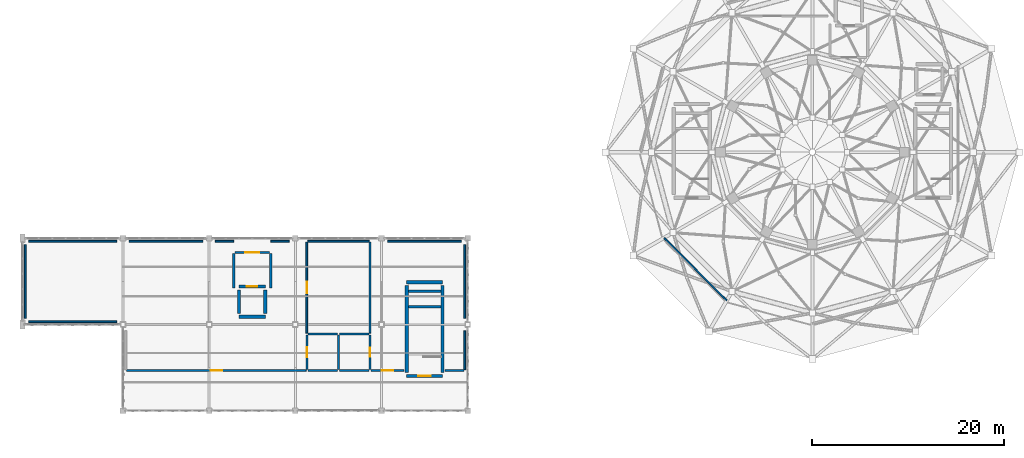
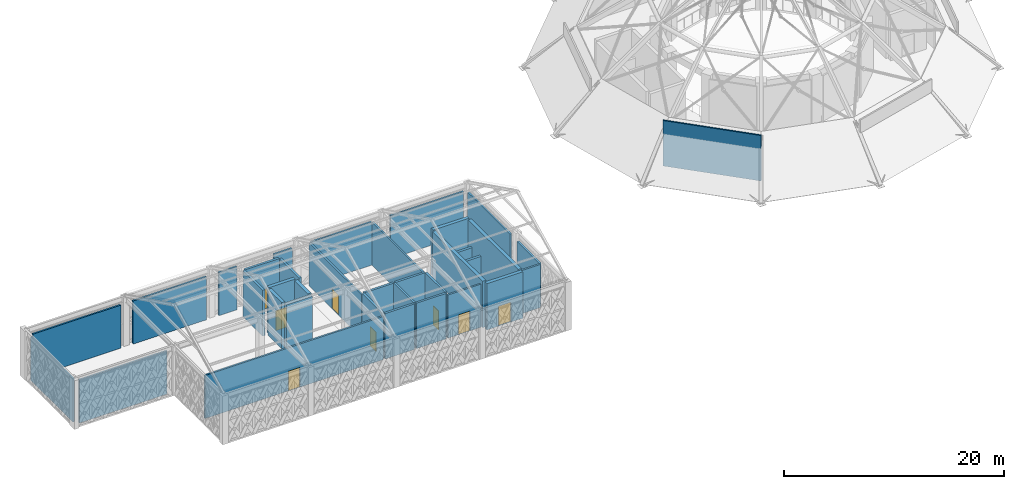
# One storey, part 27 of 32: 36 walls, 8 doors, 8 openings.
"""IFC4 building model written with IfcOpenShell, lengths in metres."""

from ifc_helpers import new_model, si_unit, direction, frame, frame_2d, origin, place, context, subcontext, project, spatial, rectangle, extrude, material, layer, layer_set, type_object, element, fill, save


model = new_model("IFC4")

# Units and contexts
model_context = context("Model", 3, precision=1e-05, world=origin(), true_north=direction((0.0, 1.0)))
body_context = subcontext(model_context, "Body", "Model", "MODEL_VIEW")
ifc_project = project(units=[si_unit("LENGTHUNIT", "METRE"), si_unit("AREAUNIT", "SQUARE_METRE"), si_unit("VOLUMEUNIT", "CUBIC_METRE"), si_unit("PLANEANGLEUNIT", "RADIAN"), si_unit("MASSUNIT", "GRAM", prefix="KILO")], contexts=[model_context])

# Site, building, storey
site_placement = place(None, origin())
site = spatial("IfcSite", under=ifc_project, at=site_placement, CompositionType="ELEMENT")
building_placement = place(site_placement, origin())
building = spatial("IfcBuilding", under=site, at=building_placement, Name="Haizhuo Lancet Aquarium", CompositionType="ELEMENT")
storey_placement = place(building_placement, frame((0.0, 0.0, 27.0)))
storey = spatial("IfcBuildingStorey", under=building, at=storey_placement, Name="L05", CompositionType="ELEMENT", Elevation=27.0)

# Wall, opening, door
ifc_material_1 = material(Name="Concrete C40/50", Category="concrete")
ifc_layer_1 = layer(ifc_material_1, 0.239990234375)
ifc_layer_set_1 = layer_set([ifc_layer_1], Name="Concrete C40/50")
wall_type_1 = type_object("IfcWallType", Name="IWL-FIRE-240", PredefinedType="PARTITIONING", material=ifc_layer_set_1)
wall_1_placement = place(storey_placement, frame((-56.699951171875, -10.47998046875, 0.0), z_axis=(0.0, 0.0, 1.0), x_axis=(-1.0, 0.0, 0.0)))
wall_1 = element("IfcWall", 1, at=wall_1_placement, inside=storey, type_object=wall_type_1, Name="L05 LF-03 firefighting lift lobby firewall N", PredefinedType="PARTITIONING", context=body_context, shape_type="SweptSolid", body=[
    extrude(rectangle(XDim=3.60009765625, YDim=0.239990234375, at=frame_2d((1.800048828125, 0.0))), origin(), (0.0, 0.0, 1.0), 5.10009765625),
])
opening_1_placement = place(wall_1_placement, frame((1.050048828125, 0.0, 0.0)))
opening_1 = element("IfcOpeningElement", 2, at=opening_1_placement, cuts=wall_1, Name="Opening FD-03", PredefinedType="OPENING", context=body_context, shape_type="SweptSolid", body=[
    extrude(rectangle(XDim=1.5, YDim=2.199951171875, at=frame_2d((0.75, 1.10009765625))), frame((0.0, 0.1298828125, 0.0), z_axis=(0.0, -1.0, 0.0), x_axis=(1.0, 0.0, 0.0)), (0.0, 0.0, 1.0), 0.25999),
])
ifc_material_2 = material(Name="Steel S355", Category="steel")
door_type_1 = type_object("IfcDoorType", Name="IDR-FFL-1500x2200", OperationType="NOTDEFINED", PredefinedType="DOOR", material=ifc_material_2)
door_1_placement = place(opening_1_placement, origin())
door_1 = element("IfcDoor", 3, at=door_1_placement, inside=storey, type_object=door_type_1, Name="L05 LF-03 firefighting lift lobby door", OperationType="SINGLE_SWING_LEFT", OverallHeight=2.199951171875, OverallWidth=1.5, PredefinedType="DOOR", context=body_context, shape_type="SweptSolid", body=[
    extrude(rectangle(XDim=1.5, YDim=2.199951171875, at=frame_2d((0.75, 1.10009765625))), frame((0.0, 0.02490234375, 0.0), z_axis=(0.0, -1.0, 0.0), x_axis=(1.0, 0.0, 0.0)), (0.0, 0.0, 1.0), 0.050048828125),
])
fill(opening_1, door_1)

# Walls
for number, where, z_axis, x_axis, name in (
    (4, (-60.419921875, -14.199951171875, 0.0), (0.0, 0.0, 1.0), (0.0, 1.0, 0.0), "L05 LF-03 firefighting lift lobby firewall W"),
    (5, (-56.580078125, -14.199951171875, 0.0), (0.0, 0.0, 1.0), (0.0, 1.0, 0.0), "L05 LF-03 firefighting lift lobby firewall E"),
):
    element("IfcWall", number, at=place(storey_placement, frame(where, z_axis=z_axis, x_axis=x_axis)), inside=storey, type_object=wall_type_1, Name=name, PredefinedType="PARTITIONING", context=body_context, shape_type="SweptSolid", body=[
        extrude(rectangle(XDim=3.599853515625, YDim=0.239990234375, at=frame_2d((1.7998046875, 0.0))), origin(), (0.0, 0.0, 1.0), 5.10009765625),
    ])
ifc_layer_2 = layer(ifc_material_1, 0.179931640625)
ifc_layer_set_2 = layer_set([ifc_layer_2], Name="Concrete C40/50")
wall_type_2 = type_object("IfcWallType", Name="IWL-LAB-180", PredefinedType="PARTITIONING", material=ifc_layer_set_2)
wall_2_placement = place(storey_placement, frame((-81.85009765625, -17.699951171875, 0.0), z_axis=(0.0, 0.0, 1.0), x_axis=(1.0, 0.0, 0.0)))
element("IfcWall", 6, at=wall_2_placement, inside=storey, type_object=wall_type_2, Name="L05 partition wall 592", PredefinedType="PARTITIONING", context=body_context, shape_type="SweptSolid", body=[
    extrude(rectangle(XDim=9.2001953125, YDim=0.179931640625, at=frame_2d((4.60009765625, 0.0))), origin(), (0.0, 0.0, 1.0), 4.784912109375),
])

# Wall, opening, door
wall_3_placement = place(storey_placement, frame((-71.6201171875, -22.798095703125, 0.0), z_axis=(0.0, 0.0, 1.0), x_axis=(0.999999993126, 0.000117248566, 0.0)))
wall_3 = element("IfcWall", 7, at=wall_3_placement, inside=storey, type_object=wall_type_2, Name="L05 partition wall 594", PredefinedType="PARTITIONING", context=body_context, shape_type="SweptSolid", body=[
    extrude(rectangle(XDim=18.740234375, YDim=0.179931640625, at=frame_2d((9.3701171875, 0.0))), origin(), (0.0, 0.0, 1.0), 4.784912109375),
])
opening_2_placement = place(wall_3_placement, frame((8.77001953125, 0.0, 0.0)))
opening_2 = element("IfcOpeningElement", 8, at=opening_2_placement, cuts=wall_3, Name="Opening D-04", PredefinedType="OPENING", context=body_context, shape_type="SweptSolid", body=[
    extrude(rectangle(XDim=1.199951171875, YDim=2.199951171875, at=frame_2d((0.60009765625, 1.10009765625))), frame((0.0, 0.099853515625, 0.0), z_axis=(0.0, -1.0, 0.0), x_axis=(1.0, 0.0, 0.0)), (0.0, 0.0, 1.0), 0.199932),
])
door_type_2 = type_object("IfcDoorType", Name="IDR-LAB-1200x2200", OperationType="NOTDEFINED", PredefinedType="DOOR", material=ifc_material_2)
door_2_placement = place(opening_2_placement, origin())
door_2 = element("IfcDoor", 9, at=door_2_placement, inside=storey, type_object=door_type_2, Name="L05 Senior Marine Research Laboratory door", OperationType="SINGLE_SWING_LEFT", OverallHeight=2.199951171875, OverallWidth=1.199951171875, PredefinedType="DOOR", context=body_context, shape_type="SweptSolid", body=[
    extrude(rectangle(XDim=1.199951171875, YDim=2.199951171875, at=frame_2d((0.60009765625, 1.10009765625))), frame((0.0, 0.02490234375, 0.0), z_axis=(0.0, -1.0, 0.0), x_axis=(1.0, 0.0, 0.0)), (0.0, 0.0, 1.0), 0.050048828125),
])
fill(opening_2, door_2)

# Walls
for number, where, z_axis, x_axis, name in (
    (10, (-54.64990234375, -9.300048828125, 0.0), (0.0, 0.0, 1.0), (-1.0, 0.0, 0.0), "L05 partition wall 595"),
    (11, (-60.449951171875, -9.300048828125, 0.0), (0.0, 0.0, 1.0), (-1.0, 0.0, 0.0), "L05 partition wall 596"),
):
    element("IfcWall", number, at=place(storey_placement, frame(where, z_axis=z_axis, x_axis=x_axis)), inside=storey, type_object=wall_type_2, Name=name, PredefinedType="PARTITIONING", context=body_context, shape_type="SweptSolid", body=[
        extrude(rectangle(XDim=1.900146484375, YDim=0.179931640625, at=frame_2d((0.9501953125, 0.0))), origin(), (0.0, 0.0, 1.0), 4.784912109375),
    ])
wall_4_placement = place(storey_placement, frame((-63.64990234375, -9.300048828125, 0.0), z_axis=(0.0, 0.0, 1.0), x_axis=(-1.0, 0.0, 0.0)))
element("IfcWall", 12, at=wall_4_placement, inside=storey, type_object=wall_type_2, Name="L05 partition wall 597", PredefinedType="PARTITIONING", context=body_context, shape_type="SweptSolid", body=[
    extrude(rectangle(XDim=7.7001953125, YDim=0.179931640625, at=frame_2d((3.85009765625, 0.0))), origin(), (0.0, 0.0, 1.0), 4.784912109375),
])
wall_5_placement = place(storey_placement, frame((-72.64990234375, -9.300048828125, 0.0), z_axis=(0.0, 0.0, 1.0), x_axis=(-0.99999991006, -0.000424121897, 0.0)))
element("IfcWall", 13, at=wall_5_placement, inside=storey, type_object=wall_type_2, Name="L05 partition wall 598", PredefinedType="PARTITIONING", context=body_context, shape_type="SweptSolid", body=[
    extrude(rectangle(XDim=9.210205078125, YDim=0.179931640625, at=frame_2d((4.60498046875, 0.0))), origin(), (0.0, 0.0, 1.0), 4.784912109375),
])
wall_6_placement = place(storey_placement, frame((-82.199951171875, -9.64990234375, 0.0), z_axis=(0.0, 0.0, 1.0), x_axis=(0.0, -1.0, 0.0)))
element("IfcWall", 14, at=wall_6_placement, inside=storey, type_object=wall_type_2, Name="L05 partition wall 599", PredefinedType="PARTITIONING", context=body_context, shape_type="SweptSolid", body=[
    extrude(rectangle(XDim=7.7001953125, YDim=0.179931640625, at=frame_2d((3.85009765625, 0.0))), origin(), (0.0, 0.0, 1.0), 4.784912109375),
])

# Wall, opening, door
wall_7_placement = place(storey_placement, frame((-46.10009765625, -22.800048828125, 0.0), z_axis=(0.0, 0.0, 1.0), x_axis=(1.0, 0.0, 0.0)))
wall_7 = element("IfcWall", 15, at=wall_7_placement, inside=storey, type_object=wall_type_2, Name="L05 partition wall 600", PredefinedType="PARTITIONING", context=body_context, shape_type="SweptSolid", body=[
    extrude(rectangle(XDim=3.4501953125, YDim=0.179931640625, at=frame_2d((1.72509765625, 0.0))), origin(), (0.0, 0.0, 1.0), 4.784912109375),
])
opening_3_placement = place(wall_7_placement, frame((1.125, 0.0, 0.0)))
opening_3 = element("IfcOpeningElement", 16, at=opening_3_placement, cuts=wall_7, Name="Opening D-04", PredefinedType="OPENING", context=body_context, shape_type="SweptSolid", body=[
    extrude(rectangle(XDim=1.199951171875, YDim=2.199951171875, at=frame_2d((0.60009765625, 1.10009765625))), frame((0.0, 0.099853515625, 0.0), z_axis=(0.0, -1.0, 0.0), x_axis=(1.0, 0.0, 0.0)), (0.0, 0.0, 1.0), 0.199932),
])
door_3_placement = place(opening_3_placement, origin())
door_3 = element("IfcDoor", 17, at=door_3_placement, inside=storey, type_object=door_type_2, Name="L05 Curatorial Fellows Office door", OperationType="SINGLE_SWING_RIGHT", OverallHeight=2.199951171875, OverallWidth=1.199951171875, PredefinedType="DOOR", context=body_context, shape_type="SweptSolid", body=[
    extrude(rectangle(XDim=1.199951171875, YDim=2.199951171875, at=frame_2d((0.60009765625, 1.10009765625))), frame((0.0, 0.02490234375, 0.0), z_axis=(0.0, -1.0, 0.0), x_axis=(1.0, 0.0, 0.0)), (0.0, 0.0, 1.0), 0.050048828125),
])
fill(opening_3, door_3)

# Walls
wall_8_placement = place(storey_placement, frame((-38.35009765625, -22.800048828125, 0.0), z_axis=(0.0, 0.0, 1.0), x_axis=(1.0, 0.0, 0.0)))
element("IfcWall", 18, at=wall_8_placement, inside=storey, type_object=wall_type_2, Name="L05 partition wall 601", PredefinedType="PARTITIONING", context=body_context, shape_type="SweptSolid", body=[
    extrude(rectangle(XDim=1.9501953125, YDim=0.179931640625, at=frame_2d((0.97509765625, 0.0))), origin(), (0.0, 0.0, 1.0), 4.784912109375),
])
wall_9_placement = place(storey_placement, frame((-36.300048828125, -22.699951171875, 0.0), z_axis=(0.0, 0.0, 1.0), x_axis=(0.0, 1.0, 0.0)))
element("IfcWall", 19, at=wall_9_placement, inside=storey, type_object=wall_type_2, Name="L05 partition wall 602", PredefinedType="PARTITIONING", context=body_context, shape_type="SweptSolid", body=[
    extrude(rectangle(XDim=4.050048828125, YDim=0.179931640625, at=frame_2d((2.02490234375, 0.0))), origin(), (0.0, 0.0, 1.0), 4.784912109375),
])
for number, where, z_axis, x_axis, name in (
    (20, (-36.300048828125, -17.35009765625, 0.0), (0.0, 0.0, 1.0), (0.0, 1.0, 0.0), "L05 partition wall 603"),
    (21, (-36.64990234375, -9.300048828125, 0.0), (0.0, 0.0, 1.0), (-1.0, 0.0, 0.0), "L05 partition wall 604"),
):
    element("IfcWall", number, at=place(storey_placement, frame(where, z_axis=z_axis, x_axis=x_axis)), inside=storey, type_object=wall_type_2, Name=name, PredefinedType="PARTITIONING", context=body_context, shape_type="SweptSolid", body=[
        extrude(rectangle(XDim=7.7001953125, YDim=0.179931640625, at=frame_2d((3.85009765625, 0.0))), origin(), (0.0, 0.0, 1.0), 4.784912109375),
    ])
wall_10_placement = place(storey_placement, frame((-46.300048828125, -9.300048828125, 0.0), z_axis=(0.0, 0.0, 1.0), x_axis=(-1.0, 0.0, 0.0)))
element("IfcWall", 22, at=wall_10_placement, inside=storey, type_object=wall_type_2, Name="L05 partition wall 605", PredefinedType="PARTITIONING", context=body_context, shape_type="SweptSolid", body=[
    extrude(rectangle(XDim=6.39990234375, YDim=0.179931640625, at=frame_2d((3.199951171875, 0.0))), origin(), (0.0, 0.0, 1.0), 4.784912109375),
])

# Wall, opening, door
wall_11_placement = place(storey_placement, frame((-52.800048828125, -9.39990234375, 0.0), z_axis=(0.0, 0.0, 1.0), x_axis=(0.0, -1.0, 0.0)))
wall_11 = element("IfcWall", 23, at=wall_11_placement, inside=storey, type_object=wall_type_2, Name="L05 partition wall 606", PredefinedType="PARTITIONING", context=body_context, shape_type="SweptSolid", body=[
    extrude(rectangle(XDim=9.5, YDim=0.179931640625, at=frame_2d((4.75, 0.0))), origin(), (0.0, 0.0, 1.0), 4.784912109375),
])
opening_4_placement = place(wall_11_placement, frame((4.14990234375, 0.0, 0.0)))
opening_4 = element("IfcOpeningElement", 24, at=opening_4_placement, cuts=wall_11, Name="Opening D-04", PredefinedType="OPENING", context=body_context, shape_type="SweptSolid", body=[
    extrude(rectangle(XDim=1.199951171875, YDim=2.199951171875, at=frame_2d((0.60009765625, 1.10009765625))), frame((0.0, 0.099853515625, 0.0), z_axis=(0.0, -1.0, 0.0), x_axis=(1.0, 0.0, 0.0)), (0.0, 0.0, 1.0), 0.199932),
])
door_4_placement = place(opening_4_placement, origin())
door_4 = element("IfcDoor", 25, at=door_4_placement, inside=storey, type_object=door_type_2, Name="L05 Marine Specimen Preparation Room door", OperationType="SINGLE_SWING_LEFT", OverallHeight=2.199951171875, OverallWidth=1.199951171875, PredefinedType="DOOR", context=body_context, shape_type="SweptSolid", body=[
    extrude(rectangle(XDim=1.199951171875, YDim=2.199951171875, at=frame_2d((0.60009765625, 1.10009765625))), frame((0.0, 0.02490234375, 0.0), z_axis=(0.0, -1.0, 0.0), x_axis=(1.0, 0.0, 0.0)), (0.0, 0.0, 1.0), 0.050048828125),
])
fill(opening_4, door_4)

# Wall
wall_12_placement = place(storey_placement, frame((-46.199951171875, -18.89990234375, 0.0), z_axis=(0.0, 0.0, 1.0), x_axis=(0.0, 1.0, 0.0)))
element("IfcWall", 26, at=wall_12_placement, inside=storey, type_object=wall_type_2, Name="L05 partition wall 607", PredefinedType="PARTITIONING", context=body_context, shape_type="SweptSolid", body=[
    extrude(rectangle(XDim=9.5, YDim=0.179931640625, at=frame_2d((4.75, 0.0))), origin(), (0.0, 0.0, 1.0), 4.784912109375),
])

# Wall, opening, door
ifc_layer_3 = layer(ifc_material_1, 0.219970703125)
ifc_layer_set_3 = layer_set([ifc_layer_3], Name="Concrete C40/50")
wall_type_3 = type_object("IfcWallType", Name="IWL-PLB-220", PredefinedType="PLUMBINGWALL", material=ifc_layer_set_3)
wall_13_placement = place(storey_placement, frame((-52.800048828125, -19.10009765625, 0.0), z_axis=(0.0, 0.0, 1.0), x_axis=(0.0, -1.0, 0.0)))
wall_13 = element("IfcWall", 27, at=wall_13_placement, inside=storey, type_object=wall_type_3, Name="L05 partition wall 574", PredefinedType="PLUMBINGWALL", context=body_context, shape_type="SweptSolid", body=[
    extrude(rectangle(XDim=3.599853515625, YDim=0.219970703125, at=frame_2d((1.7998046875, 0.0))), origin(), (0.0, 0.0, 1.0), 5.050048828125),
])
opening_5_placement = place(wall_13_placement, frame((1.27490234375, 0.0, 0.0)))
opening_5 = element("IfcOpeningElement", 28, at=opening_5_placement, cuts=wall_13, Name="Opening D-08", PredefinedType="OPENING", context=body_context, shape_type="SweptSolid", body=[
    extrude(rectangle(XDim=1.050048828125, YDim=2.14990234375, at=frame_2d((0.52490234375, 1.074951171875))), frame((0.0, 0.119873046875, 0.0), z_axis=(0.0, -1.0, 0.0), x_axis=(1.0, 0.0, 0.0)), (0.0, 0.0, 1.0), 0.239971),
])
ifc_material_3 = material(Name="Aluminium 6063-T6", Category="aluminium")
door_type_3 = type_object("IfcDoorType", Name="IDR-AWC-1050x2150", OperationType="NOTDEFINED", PredefinedType="DOOR", material=ifc_material_3)
door_5_placement = place(opening_5_placement, origin())
door_5 = element("IfcDoor", 29, at=door_5_placement, inside=storey, type_object=door_type_3, Name="L05 Fifth Floor Accessible WC door", OperationType="SINGLE_SWING_LEFT", OverallHeight=2.14990234375, OverallWidth=1.050048828125, PredefinedType="DOOR", context=body_context, shape_type="SweptSolid", body=[
    extrude(rectangle(XDim=1.050048828125, YDim=2.14990234375, at=frame_2d((0.52490234375, 1.074951171875))), frame((0.0, 0.02490234375, 0.0), z_axis=(0.0, -1.0, 0.0), x_axis=(1.0, 0.0, 0.0)), (0.0, 0.0, 1.0), 0.050048828125),
])
fill(opening_5, door_5)

# Walls
wall_14_placement = place(storey_placement, frame((-52.699951171875, -22.800048828125, 0.0), z_axis=(0.0, 0.0, 1.0), x_axis=(1.0, 0.0, 0.0)))
element("IfcWall", 30, at=wall_14_placement, inside=storey, type_object=wall_type_3, Name="L05 partition wall 575", PredefinedType="PLUMBINGWALL", context=body_context, shape_type="SweptSolid", body=[
    extrude(rectangle(XDim=3.099853515625, YDim=0.219970703125, at=frame_2d((1.5498046875, 0.0))), origin(), (0.0, 0.0, 1.0), 5.050048828125),
])
wall_15_placement = place(storey_placement, frame((-49.5, -22.699951171875, 0.0), z_axis=(0.0, 0.0, 1.0), x_axis=(0.0, 1.0, 0.0)))
element("IfcWall", 31, at=wall_15_placement, inside=storey, type_object=wall_type_3, Name="L05 partition wall 576", PredefinedType="PLUMBINGWALL", context=body_context, shape_type="SweptSolid", body=[
    extrude(rectangle(XDim=3.599853515625, YDim=0.219970703125, at=frame_2d((1.7998046875, 0.0))), origin(), (0.0, 0.0, 1.0), 5.050048828125),
])
for number, where, z_axis, x_axis, name in (
    (32, (-49.60009765625, -19.0, 0.0), (0.0, 0.0, 1.0), (-1.0, 0.0, 0.0), "L05 partition wall 577"),
    (33, (-49.39990234375, -22.800048828125, 0.0), (0.0, 0.0, 1.0), (1.0, 0.0, 0.0), "L05 partition wall 578"),
):
    element("IfcWall", number, at=place(storey_placement, frame(where, z_axis=z_axis, x_axis=x_axis)), inside=storey, type_object=wall_type_3, Name=name, PredefinedType="PLUMBINGWALL", context=body_context, shape_type="SweptSolid", body=[
        extrude(rectangle(XDim=3.099853515625, YDim=0.219970703125, at=frame_2d((1.5498046875, 0.0))), origin(), (0.0, 0.0, 1.0), 5.050048828125),
    ])

# Wall, opening, door
wall_16_placement = place(storey_placement, frame((-46.199951171875, -22.699951171875, 0.0), z_axis=(0.0, 0.0, 1.0), x_axis=(0.0, 1.0, 0.0)))
wall_16 = element("IfcWall", 34, at=wall_16_placement, inside=storey, type_object=wall_type_3, Name="L05 partition wall 579", PredefinedType="PLUMBINGWALL", context=body_context, shape_type="SweptSolid", body=[
    extrude(rectangle(XDim=3.599853515625, YDim=0.219970703125, at=frame_2d((1.7998046875, 0.0))), origin(), (0.0, 0.0, 1.0), 5.050048828125),
])
opening_6_placement = place(wall_16_placement, frame((1.324951171875, 0.0, 0.0)))
opening_6 = element("IfcOpeningElement", 35, at=opening_6_placement, cuts=wall_16, Name="Opening D-07", PredefinedType="OPENING", context=body_context, shape_type="SweptSolid", body=[
    extrude(rectangle(XDim=0.949951171875, YDim=2.14990234375, at=frame_2d((0.47509765625, 1.074951171875))), frame((0.0, 0.119873046875, 0.0), z_axis=(0.0, -1.0, 0.0), x_axis=(1.0, 0.0, 0.0)), (0.0, 0.0, 1.0), 0.239971),
])
door_type_4 = type_object("IfcDoorType", Name="IDR-WC-950x2150", OperationType="NOTDEFINED", PredefinedType="DOOR", material=ifc_material_3)
door_6_placement = place(opening_6_placement, origin())
door_6 = element("IfcDoor", 36, at=door_6_placement, inside=storey, type_object=door_type_4, Name="L05 Fifth Floor Public WC door", OperationType="SINGLE_SWING_RIGHT", OverallHeight=2.14990234375, OverallWidth=0.949951171875, PredefinedType="DOOR", context=body_context, shape_type="SweptSolid", body=[
    extrude(rectangle(XDim=0.949951171875, YDim=2.14990234375, at=frame_2d((0.47509765625, 1.074951171875))), frame((0.0, 0.02490234375, 0.0), z_axis=(0.0, -1.0, 0.0), x_axis=(1.0, 0.0, 0.0)), (0.0, 0.0, 1.0), 0.050048828125),
])
fill(opening_6, door_6)

# Walls
wall_17_placement = place(storey_placement, frame((-46.300048828125, -19.0, 0.0), z_axis=(0.0, 0.0, 1.0), x_axis=(-1.0, 0.0, 0.0)))
element("IfcWall", 37, at=wall_17_placement, inside=storey, type_object=wall_type_3, Name="L05 partition wall 580", PredefinedType="PLUMBINGWALL", context=body_context, shape_type="SweptSolid", body=[
    extrude(rectangle(XDim=3.099853515625, YDim=0.219970703125, at=frame_2d((1.5498046875, 0.0))), origin(), (0.0, 0.0, 1.0), 5.050048828125),
])
ifc_material_4 = material(Name="Gypsum Fireboard Partition")
ifc_layer_4 = layer(ifc_material_4, 0.14990234375)
ifc_layer_set_4 = layer_set([ifc_layer_4], Name="Gypsum Fireboard Partition")
wall_type_4 = type_object("IfcWallType", Name="IWL-STD-150", PredefinedType="PARTITIONING", material=ifc_layer_set_4)
wall_18_placement = place(storey_placement, frame((-15.47412109375, -8.964111328125, 0.0), z_axis=(0.0, 0.0, 1.0), x_axis=(0.707331631113, -0.706881859738, 0.0)))
element("IfcWall", 38, at=wall_18_placement, inside=storey, type_object=wall_type_4, Name="L05 partition wall 582", PredefinedType="PARTITIONING", context=body_context, shape_type="SweptSolid", body=[
    extrude(rectangle(XDim=9.227783203125, YDim=0.14990234375, at=frame_2d((4.61376953125, 0.0))), origin(), (0.0, 0.0, 1.0), 5.050048828125),
])
ifc_layer_5 = layer(ifc_material_1, 0.35009765625)
ifc_layer_set_5 = layer_set([ifc_layer_5], Name="Concrete C40/50")
wall_type_5 = type_object("IfcWallType", Name="WL-CORE-350", PredefinedType="SHEAR", material=ifc_layer_set_5)
for number, where, z_axis, x_axis, name in (
    (39, (-42.199951171875, -16.125, 0.0), (0.0, 0.0, 1.0), (1.0, 0.0, 0.0), "L05 ST-09 landing support wall"),
    (40, (-42.199951171875, -14.52490234375, 0.0), (0.0, 0.0, 1.0), (1.0, 0.0, 0.0), "L05 ST-09 far landing support wall"),
):
    element("IfcWall", number, at=place(storey_placement, frame(where, z_axis=z_axis, x_axis=x_axis)), inside=storey, type_object=wall_type_5, Name=name, PredefinedType="SHEAR", context=body_context, shape_type="SweptSolid", body=[
        extrude(rectangle(XDim=3.39990234375, YDim=0.25, at=frame_2d((1.699951171875, 0.0))), origin(), (0.0, 0.0, 1.0), 2.5),
    ])

# Wall, opening, door
wall_19_placement = place(storey_placement, frame((-42.375, -23.375, 0.0), z_axis=(0.0, 0.0, 1.0), x_axis=(1.0, 0.0, 0.0)))
wall_19 = element("IfcWall", 41, at=wall_19_placement, inside=storey, type_object=wall_type_5, Name="L05 ST-09 core shear wall S", PredefinedType="SHEAR", context=body_context, shape_type="SweptSolid", body=[
    extrude(rectangle(XDim=3.75, YDim=0.35009765625, at=frame_2d((1.875, 0.0))), origin(), (0.0, 0.0, 1.0), 5.14990234375),
])
opening_7_placement = place(wall_19_placement, frame((1.22509765625, 0.0, 0.0)))
opening_7 = element("IfcOpeningElement", 42, at=opening_7_placement, cuts=wall_19, Name="Opening FD-02", PredefinedType="OPENING", context=body_context, shape_type="SweptSolid", body=[
    extrude(rectangle(XDim=1.300048828125, YDim=2.199951171875, at=frame_2d((0.64990234375, 1.10009765625))), frame((0.0, 0.18505859375, 0.0), z_axis=(0.0, -1.0, 0.0), x_axis=(1.0, 0.0, 0.0)), (0.0, 0.0, 1.0), 0.370098),
])
door_type_5 = type_object("IfcDoorType", Name="IDR-STAIR-1300x2200", OperationType="NOTDEFINED", PredefinedType="DOOR", material=ifc_material_2)
door_7_placement = place(opening_7_placement, origin())
door_7 = element("IfcDoor", 43, at=door_7_placement, inside=storey, type_object=door_type_5, Name="L05 ST-09 stairwell fire door", OperationType="SINGLE_SWING_LEFT", OverallHeight=2.199951171875, OverallWidth=1.300048828125, PredefinedType="DOOR", context=body_context, shape_type="SweptSolid", body=[
    extrude(rectangle(XDim=1.300048828125, YDim=2.199951171875, at=frame_2d((0.64990234375, 1.10009765625))), frame((0.0, 0.02490234375, 0.0), z_axis=(0.0, -1.0, 0.0), x_axis=(1.0, 0.0, 0.0)), (0.0, 0.0, 1.0), 0.050048828125),
])
fill(opening_7, door_7)

# Walls
wall_20_placement = place(storey_placement, frame((-42.375, -13.574951171875, 0.0), z_axis=(0.0, 0.0, 1.0), x_axis=(1.0, 0.0, 0.0)))
element("IfcWall", 44, at=wall_20_placement, inside=storey, type_object=wall_type_5, Name="L05 ST-09 core shear wall N", PredefinedType="SHEAR", context=body_context, shape_type="SweptSolid", body=[
    extrude(rectangle(XDim=3.75, YDim=0.35009765625, at=frame_2d((1.875, 0.0))), origin(), (0.0, 0.0, 1.0), 5.14990234375),
])
for number, where, z_axis, x_axis, name in (
    (45, (-42.375, -23.02490234375, 0.0), (0.0, 0.0, 1.0), (0.0, 1.0, 0.0), "L05 ST-09 core shear wall W"),
    (46, (-38.625, -23.02490234375, 0.0), (0.0, 0.0, 1.0), (0.0, 1.0, 0.0), "L05 ST-09 core shear wall E"),
):
    element("IfcWall", number, at=place(storey_placement, frame(where, z_axis=z_axis, x_axis=x_axis)), inside=storey, type_object=wall_type_5, Name=name, PredefinedType="SHEAR", context=body_context, shape_type="SweptSolid", body=[
        extrude(rectangle(XDim=9.099853515625, YDim=0.35009765625, at=frame_2d((4.5498046875, 0.0))), origin(), (0.0, 0.0, 1.0), 5.14990234375),
    ])
wall_21_placement = place(storey_placement, frame((-59.875, -17.175048828125, 0.0), z_axis=(0.0, 0.0, 1.0), x_axis=(1.0, 0.0, 0.0)))
element("IfcWall", 47, at=wall_21_placement, inside=storey, type_object=wall_type_5, Name="L05 LF-03 lift shaft wall -Y", PredefinedType="SHEAR", context=body_context, shape_type="SweptSolid", body=[
    extrude(rectangle(XDim=2.75, YDim=0.35009765625, at=frame_2d((1.375, 0.0))), origin(), (0.0, 0.0, 1.0), 5.14990234375),
])

# Wall, opening, door
wall_22_placement = place(storey_placement, frame((-57.125, -14.02490234375, 0.0), z_axis=(0.0, 0.0, 1.0), x_axis=(-1.0, 0.0, 0.0)))
wall_22 = element("IfcWall", 48, at=wall_22_placement, inside=storey, type_object=wall_type_5, Name="L05 LF-03 lift shaft wall +Y", PredefinedType="SHEAR", context=body_context, shape_type="SweptSolid", body=[
    extrude(rectangle(XDim=2.75, YDim=0.35009765625, at=frame_2d((1.375, 0.0))), origin(), (0.0, 0.0, 1.0), 5.14990234375),
])
opening_8_placement = place(wall_22_placement, frame((0.824951171875, 0.0, 0.0)))
opening_8 = element("IfcOpeningElement", 49, at=opening_8_placement, cuts=wall_22, Name="Opening LD-01", PredefinedType="OPENING", context=body_context, shape_type="SweptSolid", body=[
    extrude(rectangle(XDim=1.10009765625, YDim=2.199951171875, at=frame_2d((0.550048828125, 1.10009765625))), frame((0.0, 0.18505859375, 0.0), z_axis=(0.0, -1.0, 0.0), x_axis=(1.0, 0.0, 0.0)), (0.0, 0.0, 1.0), 0.370098),
])
door_type_6 = type_object("IfcDoorType", Name="IDR-LIFT-1100x2200", OperationType="NOTDEFINED", PredefinedType="DOOR", material=ifc_material_2)
door_8_placement = place(opening_8_placement, origin())
door_8 = element("IfcDoor", 50, at=door_8_placement, inside=storey, type_object=door_type_6, Name="L05 LF-03 sliding lift landing door", OperationType="DOUBLE_DOOR_SLIDING", OverallHeight=2.199951171875, OverallWidth=1.10009765625, PredefinedType="DOOR", context=body_context, shape_type="SweptSolid", body=[
    extrude(rectangle(XDim=1.10009765625, YDim=2.199951171875, at=frame_2d((0.550048828125, 1.10009765625))), frame((0.0, 0.02490234375, 0.0), z_axis=(0.0, -1.0, 0.0), x_axis=(1.0, 0.0, 0.0)), (0.0, 0.0, 1.0), 0.050048828125),
])
fill(opening_8, door_8)

# Walls
for number, where, z_axis, x_axis, name in (
    (51, (-59.875, -16.824951171875, 0.0), (0.0, 0.0, 1.0), (0.0, 1.0, 0.0), "L05 LF-03 lift shaft wall -X"),
    (52, (-57.125, -16.824951171875, 0.0), (0.0, 0.0, 1.0), (0.0, 1.0, 0.0), "L05 LF-03 lift shaft wall +X"),
):
    element("IfcWall", number, at=place(storey_placement, frame(where, z_axis=z_axis, x_axis=x_axis)), inside=storey, type_object=wall_type_5, Name=name, PredefinedType="SHEAR", context=body_context, shape_type="SweptSolid", body=[
        extrude(rectangle(XDim=2.449951171875, YDim=0.35009765625, at=frame_2d((1.22509765625, 0.0))), origin(), (0.0, 0.0, 1.0), 5.14990234375),
    ])

save(model, "model.ifc")
